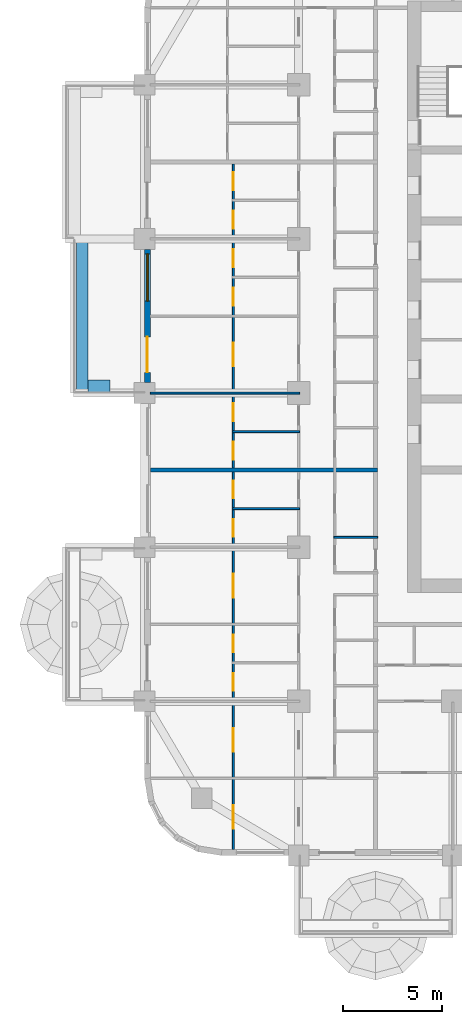
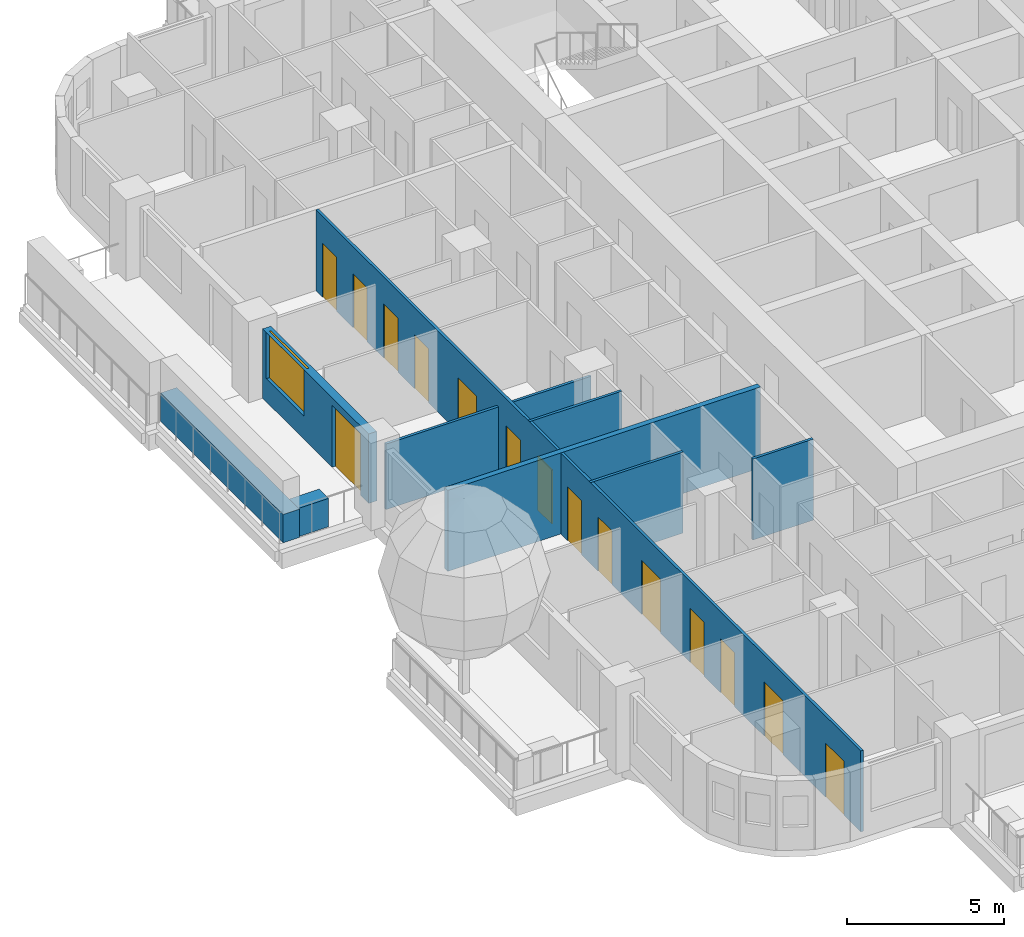
# One storey, part 5 of 19: 15 doors, 9 walls, 1 window, 16 openings.
"""IFC4 building model written with IfcOpenShell, lengths in metres."""

import ifcopenshell
import ifcopenshell.guid

model = None  # the IFC model being written
_history = None  # IfcOwnerHistory: only IFC2X3 demands one
_inside = {}  # id of a spatial element -> (the spatial element, [elements in it])
_under = {}  # id of a project, library or spatial element -> (it, [spatial elements below it])
_declared = {}  # id of a project -> (the project, [libraries it declares])
_typed = {}  # id of a type object -> (the type object, [elements of that type])
_made_of = {}  # id of a material, layer set ... -> (it, [elements and type objects made of it])


def new_model(schema):
    """Start an empty IFC model of exactly this schema.

    Asked for "IFC4X3", IfcOpenShell would pick the latest addendum, in which some entities
    have other attributes; the version numbers below select the first issue.
    IFC2X3 requires an IfcOwnerHistory on every rooted entity: one is made here for all.
    """
    global model, _history
    if schema == "IFC4X3":
        model = ifcopenshell.file(schema_version=(4, 3, 0, 0))
    else:
        model = ifcopenshell.file(schema=schema)
    _inside.clear()
    _under.clear()
    _declared.clear()
    _typed.clear()
    _made_of.clear()
    _history = None
    if model.schema == "IFC2X3":
        org = make("IfcOrganization", Name="unknown")
        user = make(
            "IfcPersonAndOrganization",
            ThePerson=make("IfcPerson", FamilyName="unknown"),
            TheOrganization=org,
        )
        app = make(
            "IfcApplication",
            ApplicationDeveloper=org,
            Version="unknown",
            ApplicationFullName="unknown",
            ApplicationIdentifier="unknown",
        )
        _history = make(
            "IfcOwnerHistory",
            OwningUser=user,
            OwningApplication=app,
            ChangeAction="ADDED",
            CreationDate=0,
        )
    return model


def make(cls, **values):
    """One entity of the class cls with the attributes given. An attribute that is None is left unset."""
    return model.create_entity(
        cls, **{name: value for name, value in values.items() if value is not None}
    )


def rooted(cls, **values):
    """An entity with a GlobalId (a new one), such as an element, a storey or a relation."""
    return make(cls, GlobalId=ifcopenshell.guid.new(), OwnerHistory=_history, **values)


def si_unit(unit_type, name, prefix=None):
    """IfcSIUnit, for example si_unit("LENGTHUNIT", "METRE", prefix="MILLI")."""
    return make("IfcSIUnit", UnitType=unit_type, Prefix=prefix, Name=name)


def assignment(units):
    """IfcUnitAssignment: the units of a project."""
    return None if units is None else make("IfcUnitAssignment", Units=units)


def point(xyz):
    """IfcCartesianPoint."""
    return None if xyz is None else make("IfcCartesianPoint", Coordinates=xyz)


def direction(xyz):
    """IfcDirection."""
    return None if xyz is None else make("IfcDirection", DirectionRatios=xyz)


def frame(location, z_axis=None, x_axis=None):
    """IfcAxis2Placement3D, a coordinate frame: its origin and axes. An axis left out is left unset."""
    return make(
        "IfcAxis2Placement3D",
        Location=point(location),
        Axis=direction(z_axis),
        RefDirection=direction(x_axis),
    )


def frame_2d(location, x_axis=None):
    """IfcAxis2Placement2D, a coordinate frame in the plane: its origin and x axis."""
    return make(
        "IfcAxis2Placement2D", Location=point(location), RefDirection=direction(x_axis)
    )


def origin():
    """The frame at (0, 0, 0) with its axes left unset."""
    return frame((0.0, 0.0, 0.0))


def place(relative_to, where):
    """IfcLocalPlacement: puts the frame where relative to a parent placement (None: the world)."""
    return make(
        "IfcLocalPlacement", PlacementRelTo=relative_to, RelativePlacement=where
    )


def context(
    kind, dimensions, precision=None, world=None, true_north=None, identifier=None
):
    """IfcGeometricRepresentationContext, for example the 3D "Model" context."""
    return make(
        "IfcGeometricRepresentationContext",
        ContextIdentifier=identifier,
        ContextType=kind,
        CoordinateSpaceDimension=dimensions,
        Precision=precision,
        WorldCoordinateSystem=world,
        TrueNorth=true_north,
    )


def subcontext(parent, identifier, kind, view, scale=None):
    """IfcGeometricRepresentationSubContext, for example "Body" below "Model"."""
    return make(
        "IfcGeometricRepresentationSubContext",
        ContextIdentifier=identifier,
        ContextType=kind,
        ParentContext=parent,
        TargetScale=scale,
        TargetView=view,
    )


def project(units=None, contexts=None):
    """IfcProject with its units and contexts."""
    return rooted(
        "IfcProject",
        Name="project",
        RepresentationContexts=contexts,
        UnitsInContext=assignment(units),
    )


def spatial(cls, under=None, at=None, **own):
    """A site, building, storey or space (cls), placed at a placement, below another one or the project."""
    s = rooted(cls, ObjectPlacement=at, **own)
    if under is not None:
        _under.setdefault(under.id(), (under, []))[1].append(s)
    return s


def profile(cls, at=None, kind="AREA", **sizes):
    """A parametric profile (cls). Its sizes go by their IFC names, for example OverallWidth=200.0."""
    return make(cls, ProfileType=kind, Position=at, **sizes)


def rectangle(**sizes):
    """IfcRectangleProfileDef."""
    return profile("IfcRectangleProfileDef", **sizes)


def extrude(swept, where, along, depth):
    """IfcExtrudedAreaSolid: the profile swept, set in the frame where, extruded along a direction by depth."""
    return make(
        "IfcExtrudedAreaSolid",
        SweptArea=swept,
        Position=where,
        ExtrudedDirection=direction(along),
        Depth=depth,
    )


def shape(context_of_items, identifier, shape_type, items):
    """IfcShapeRepresentation: the items that make up one representation, for example the "Body"."""
    return make(
        "IfcShapeRepresentation",
        ContextOfItems=context_of_items,
        RepresentationIdentifier=identifier,
        RepresentationType=shape_type,
        Items=items,
    )


def material(Name=None, Category=None):
    """IfcMaterial."""
    return make("IfcMaterial", Name=Name, Category=Category)


def layer(
    of_material, thickness, ventilated=None, Name=None, Category=None, Priority=None
):
    """IfcMaterialLayer: one layer of a wall or slab, of a material (None: an air gap)."""
    return make(
        "IfcMaterialLayer",
        Material=of_material,
        LayerThickness=thickness,
        IsVentilated=ventilated,
        Name=Name,
        Category=Category,
        Priority=Priority,
    )


def layer_set(layers, Name=None):
    """IfcMaterialLayerSet."""
    return make("IfcMaterialLayerSet", MaterialLayers=layers, LayerSetName=Name)


def made_of(thing, what):
    """Note that an element or type object is made of a material, layer set ...; save() writes the relation."""
    if what is not None:
        _made_of.setdefault(what.id(), (what, []))[1].append(thing)
    return thing


def type_object(cls, material=None, **own):
    """A type object (cls), such as IfcWallType, which elements share."""
    return made_of(rooted(cls, **own), material)


def element(
    cls,
    number,
    at=None,
    inside=None,
    cuts=None,
    type_object=None,
    material=None,
    context=None,
    identifier="Body",
    shape_type=None,
    held_by="IfcProductDefinitionShape",
    body=None,
    shapes=None,
    **own,
):
    """One element of the class cls, such as IfcWall. Its Tag is "e" and its number.

    at: its placement. inside: the storey or other place that contains it. cuts: it is an
    opening in that element (IfcRelVoidsElement). A single representation is given by context,
    identifier, shape_type and body (its items); several are given by shapes. held_by: the class
    of the entity that holds the representations. save() writes the other relations.
    """
    e = rooted(cls, Tag="e%d" % number, ObjectPlacement=at, **own)
    if body is not None:
        shapes = [shape(context, identifier, shape_type, body)]
    if shapes is not None:
        e.Representation = make(held_by, Representations=shapes)
    if inside is not None:
        _inside.setdefault(inside.id(), (inside, []))[1].append(e)
    if cuts is not None:
        rooted(
            "IfcRelVoidsElement", RelatingBuildingElement=cuts, RelatedOpeningElement=e
        )
    if type_object is not None:
        _typed.setdefault(type_object.id(), (type_object, []))[1].append(e)
    return made_of(e, material)


def fill(opening, filler):
    """IfcRelFillsElement: the door or window that sits in an opening."""
    return rooted(
        "IfcRelFillsElement",
        RelatingOpeningElement=opening,
        RelatedBuildingElement=filler,
    )


def aggregate(whole, parts):
    """IfcRelAggregates: a whole, such as a stair, and the parts it consists of."""
    return rooted("IfcRelAggregates", RelatingObject=whole, RelatedObjects=parts)


def save(model, path):
    """Write the relations noted so far, then the file.

    IfcRelAggregates (storeys below a building ...), IfcRelContainedInSpatialStructure (elements
    in a storey), IfcRelDefinesByType, IfcRelAssociatesMaterial and IfcRelDeclares: one each for
    every whole, place, type object, material and project.
    """
    for whole, parts in _under.values():
        aggregate(whole, parts)
    for where, things in _inside.values():
        rooted(
            "IfcRelContainedInSpatialStructure",
            RelatedElements=things,
            RelatingStructure=where,
        )
    for kind, things in _typed.values():
        rooted("IfcRelDefinesByType", RelatedObjects=things, RelatingType=kind)
    for what, things in _made_of.values():
        rooted("IfcRelAssociatesMaterial", RelatedObjects=things, RelatingMaterial=what)
    for by, libraries in _declared.values():
        rooted("IfcRelDeclares", RelatingContext=by, RelatedDefinitions=libraries)
    model.write(path)


model = new_model("IFC4")

# Units and contexts
model_context = context("Model", 3, precision=1e-05, world=origin(), true_north=direction((0.0, 1.0)))
body_context = subcontext(model_context, "Body", "Model", "MODEL_VIEW")
ifc_project = project(units=[si_unit("LENGTHUNIT", "METRE"), si_unit("AREAUNIT", "SQUARE_METRE"), si_unit("VOLUMEUNIT", "CUBIC_METRE"), si_unit("PLANEANGLEUNIT", "RADIAN"), si_unit("MASSUNIT", "GRAM", prefix="KILO")], contexts=[model_context])

# Site, building, storey
site_placement = place(None, origin())
site = spatial("IfcSite", under=ifc_project, at=site_placement, CompositionType="ELEMENT")
building_placement = place(site_placement, origin())
building = spatial("IfcBuilding", under=site, at=building_placement, Name="Ludao Terraces", CompositionType="ELEMENT")
storey_placement = place(building_placement, frame((0.0, 0.0, 36.5)))
storey = spatial("IfcBuildingStorey", under=building, at=storey_placement, Name="L09", CompositionType="ELEMENT", Elevation=36.5)

# Walls
ifc_material_1 = material(Name="Concrete C40", Category="concrete")
ifc_layer_1 = layer(ifc_material_1, 0.60009765625)
ifc_layer_set_1 = layer_set([ifc_layer_1], Name="ENV Planter trough 600")
wall_type_1 = type_object("IfcWallType", Name="ENV Planter trough 600", PredefinedType="USERDEFINED", material=ifc_layer_set_1)
wall_1_placement = place(storey_placement, frame((58.449951171875, 65.0, 0.0), z_axis=(0.0, 0.0, 1.0), x_axis=(0.0, 1.0, 0.0)))
element("IfcWall", 1, at=wall_1_placement, inside=storey, type_object=wall_type_1, Name="PL-L09-W3", ObjectType="PLANTER", PredefinedType="USERDEFINED", context=body_context, shape_type="SweptSolid", body=[
    extrude(rectangle(XDim=7.800048828125, YDim=0.60009765625, at=frame_2d((3.89990234375, 0.0))), origin(), (0.0, 0.0, 1.0), 1.10009765625),
])
wall_2_placement = place(storey_placement, frame((58.75, 65.35009765625, 0.0), z_axis=(0.0, 0.0, 1.0), x_axis=(1.0, 0.0, 0.0)))
element("IfcWall", 2, at=wall_2_placement, inside=storey, type_object=wall_type_1, Name="PL-L09-W3-SA", ObjectType="PLANTER", PredefinedType="USERDEFINED", context=body_context, shape_type="SweptSolid", body=[
    extrude(rectangle(XDim=1.10009765625, YDim=0.60009765625, at=frame_2d((0.550048828125, 0.0))), origin(), (0.0, 0.0, 1.0), 1.10009765625),
])

# Wall, openings, door, window
ifc_material_2 = material(Name="Granite cladding", Category="masonry")
ifc_layer_2 = layer(ifc_material_2, 0.0400390625, Category="stone")
ifc_material_3 = material(Name="Mineral wool")
ifc_layer_3 = layer(ifc_material_3, 0.06005859375)
ifc_layer_4 = layer(ifc_material_1, 0.199951171875, Category="concrete")
ifc_layer_set_2 = layer_set([ifc_layer_2, ifc_layer_3, ifc_layer_4], Name="ENV Stone-clad wall 300")
wall_type_2 = type_object("IfcWallType", Name="ENV Stone-clad wall 300", PredefinedType="SOLIDWALL", material=ifc_layer_set_2)
wall_3_placement = place(storey_placement, frame((61.75, 65.52490234375, 0.0), z_axis=(0.0, 0.0, 1.0), x_axis=(0.0, 1.0, 0.0)))
wall_3 = element("IfcWall", 3, at=wall_3_placement, inside=storey, type_object=wall_type_2, Name="EW-L09-W4", PredefinedType="SOLIDWALL", context=body_context, shape_type="SweptSolid", body=[
    extrude(rectangle(XDim=6.75, YDim=0.300048828125, at=frame_2d((3.375, 0.0))), origin(), (0.0, 0.0, 1.0), 2.699951171875),
])
opening_1_placement = place(wall_3_placement, frame((0.52490234375, 0.0, 0.0)))
opening_1 = element("IfcOpeningElement", 4, at=opening_1_placement, cuts=wall_3, Name="Opening BD", PredefinedType="OPENING", context=body_context, shape_type="SweptSolid", body=[
    extrude(rectangle(XDim=1.800048828125, YDim=2.39990234375, at=frame_2d((0.89990234375, 1.199951171875))), frame((0.0, 0.16015625, 0.0), z_axis=(0.0, -1.0, 0.0), x_axis=(1.0, 0.0, 0.0)), (0.0, 0.0, 1.0), 0.320068359375),
])
opening_2_placement = place(wall_3_placement, frame((4.125, 0.0, 0.89990234375)))
opening_2 = element("IfcOpeningElement", 5, at=opening_2_placement, cuts=wall_3, Name="Opening W1", PredefinedType="OPENING", context=body_context, shape_type="SweptSolid", body=[
    extrude(rectangle(XDim=2.39990234375, YDim=1.800048828125, at=frame_2d((1.199951171875, 0.89990234375))), frame((0.0, 0.16015625, 0.0), z_axis=(0.0, -1.0, 0.0), x_axis=(1.0, 0.0, 0.0)), (0.0, 0.0, 1.0), 0.320068359375),
])
ifc_material_4 = material(Name="Aluminium glazed door", Category="aluminium")
ifc_layer_5 = layer(ifc_material_4, 0.06005859375)
ifc_layer_set_3 = layer_set([ifc_layer_5], Name="ENV Balcony door BD 1800x2400")
door_type_1 = type_object("IfcDoorType", Name="ENV Balcony door BD 1800x2400", OperationType="DOUBLE_DOOR_SINGLE_SWING", PredefinedType="DOOR", material=ifc_layer_set_3)
door_1_placement = place(opening_1_placement, origin())
door_1 = element("IfcDoor", 6, at=door_1_placement, inside=storey, type_object=door_type_1, Name="BD-L09-W4-1", OperationType="DOUBLE_DOOR_SINGLE_SWING", OverallHeight=2.39990234375, OverallWidth=1.800048828125, PredefinedType="DOOR", context=body_context, shape_type="SweptSolid", body=[
    extrude(rectangle(XDim=1.800048828125, YDim=2.39990234375, at=frame_2d((0.89990234375, 1.199951171875))), frame((0.0, 0.02490234375, 0.0), z_axis=(0.0, -1.0, 0.0), x_axis=(1.0, 0.0, 0.0)), (0.0, 0.0, 1.0), 0.050048828125),
])
fill(opening_1, door_1)
ifc_material_5 = material(Name="Clear glass in aluminium frame", Category="aluminium")
ifc_layer_6 = layer(ifc_material_5, 0.06005859375)
ifc_layer_set_4 = layer_set([ifc_layer_6], Name="ENV Window W1 2400x1800")
window_type = type_object("IfcWindowType", Name="ENV Window W1 2400x1800", PartitioningType="DOUBLE_PANEL_VERTICAL", PredefinedType="WINDOW", material=ifc_layer_set_4)
window_placement = place(opening_2_placement, origin())
window = element("IfcWindow", 7, at=window_placement, inside=storey, type_object=window_type, Name="W-L09-W4-2", OverallHeight=1.800048828125, OverallWidth=2.39990234375, PartitioningType="DOUBLE_PANEL_VERTICAL", PredefinedType="WINDOW", context=body_context, shape_type="SweptSolid", body=[
    extrude(rectangle(XDim=2.39990234375, YDim=1.800048828125, at=frame_2d((1.199951171875, 0.89990234375))), frame((0.0, 0.030029296875, 0.0), z_axis=(0.0, -1.0, 0.0), x_axis=(1.0, 0.0, 0.0)), (0.0, 0.0, 1.0), 0.06005859375),
])
fill(opening_2, window)

# Walls
ifc_material_6 = material(Name="Gypsum plasterboard", Category="gypsum")
ifc_layer_7 = layer(ifc_material_6, 0.012451171875, Category="gypsum")
ifc_layer_8 = layer(ifc_material_3, 0.06005859375, Name="insulation")
ifc_material_7 = material(Name="Steel Q235", Category="steel")
ifc_layer_9 = layer(ifc_material_7, 0.014892578125, Name="stud")
ifc_layer_10 = layer(ifc_material_6, 0.012451171875, Category="gypsum")
ifc_layer_set_5 = layer_set([ifc_layer_7, ifc_layer_8, ifc_layer_9, ifc_layer_10], Name="INT Partition 100")
wall_type_3 = type_object("IfcWallType", Name="INT Partition 100", PredefinedType="PARTITIONING", material=ifc_layer_set_5)
wall_4_placement = place(storey_placement, frame((71.18017578125, 57.699951171875, 0.0), z_axis=(0.0, 0.0, 1.0), x_axis=(1.0, 0.0, 0.0)))
element("IfcWall", 8, at=wall_4_placement, inside=storey, type_object=wall_type_3, Name="PW-L09-PW027", PredefinedType="PARTITIONING", context=body_context, shape_type="SweptSolid", body=[
    extrude(rectangle(XDim=2.219970703125, YDim=0.10009765625, at=frame_2d((1.10986328125, 0.0))), origin(), (0.0, 0.0, 1.0), 3.14990234375),
])
for number, where, z_axis, x_axis, name in (
    (9, (66.050048828125, 59.14990234375, 0.0), (0.0, 0.0, 1.0), (1.0, 0.0, 0.0), "PW-L09-PW029"),
    (10, (66.050048828125, 63.050048828125, 0.0), (0.0, 0.0, 1.0), (1.0, 0.0, 0.0), "PW-L09-PW034"),
):
    element("IfcWall", number, at=place(storey_placement, frame(where, z_axis=z_axis, x_axis=x_axis)), inside=storey, type_object=wall_type_3, Name=name, PredefinedType="PARTITIONING", context=body_context, shape_type="SweptSolid", body=[
        extrude(rectangle(XDim=3.400146484375, YDim=0.10009765625, at=frame_2d((1.7001953125, 0.0))), origin(), (0.0, 0.0, 1.0), 3.14990234375),
    ])
wall_5_placement = place(storey_placement, frame((61.900146484375, 65.0, 0.0), z_axis=(0.0, 0.0, 1.0), x_axis=(1.0, 0.0, 0.0)))
element("IfcWall", 11, at=wall_5_placement, inside=storey, type_object=wall_type_3, Name="PW-L09-PW038", PredefinedType="PARTITIONING", context=body_context, shape_type="SweptSolid", body=[
    extrude(rectangle(XDim=7.550048828125, YDim=0.10009765625, at=frame_2d((3.77490234375, 0.0))), origin(), (0.0, 0.0, 1.0), 2.550048828125),
])

# Wall, openings, doors
wall_6_placement = place(storey_placement, frame((66.10009765625, 41.900146484375, 0.0), z_axis=(0.0, 0.0, 1.0), x_axis=(0.0, 1.0, 0.0)))
wall_6 = element("IfcWall", 12, at=wall_6_placement, inside=storey, type_object=wall_type_3, Name="PW-L09-PW082", PredefinedType="PARTITIONING", context=body_context, shape_type="SweptSolid", body=[
    extrude(rectangle(XDim=34.699951171875, YDim=0.10009765625, at=frame_2d((17.35009765625, 0.0))), origin(), (0.0, 0.0, 1.0), 3.14990234375),
])
opening_3_placement = place(wall_6_placement, frame((1.050048828125, 0.0, 0.0)))
opening_3 = element("IfcOpeningElement", 13, at=opening_3_placement, cuts=wall_6, Name="Opening R02-001", PredefinedType="OPENING", context=body_context, shape_type="SweptSolid", body=[
    extrude(rectangle(XDim=1.199951171875, YDim=2.10009765625, at=frame_2d((0.60009765625, 1.050048828125))), frame((0.0, 0.06005859375, 0.0), z_axis=(0.0, -1.0, 0.0), x_axis=(1.0, 0.0, 0.0)), (0.0, 0.0, 1.0), 0.1201171875),
])
opening_4_placement = place(wall_6_placement, frame((4.949951171875, 0.0, 0.0)))
opening_4 = element("IfcOpeningElement", 14, at=opening_4_placement, cuts=wall_6, Name="Opening R02-018", PredefinedType="OPENING", context=body_context, shape_type="SweptSolid", body=[
    extrude(rectangle(XDim=1.199951171875, YDim=2.10009765625, at=frame_2d((0.60009765625, 1.050048828125))), frame((0.0, 0.06005859375, 0.0), z_axis=(0.0, -1.0, 0.0), x_axis=(1.0, 0.0, 0.0)), (0.0, 0.0, 1.0), 0.1201171875),
])
opening_5_placement = place(wall_6_placement, frame((8.02490234375, 0.0, 0.0)))
opening_5 = element("IfcOpeningElement", 15, at=opening_5_placement, cuts=wall_6, Name="Opening R02-030", PredefinedType="OPENING", context=body_context, shape_type="SweptSolid", body=[
    extrude(rectangle(XDim=0.89990234375, YDim=2.10009765625, at=frame_2d((0.449951171875, 1.050048828125))), frame((0.0, 0.06005859375, 0.0), z_axis=(0.0, -1.0, 0.0), x_axis=(1.0, 0.0, 0.0)), (0.0, 0.0, 1.0), 0.1201171875),
])
opening_6_placement = place(wall_6_placement, frame((9.97509765625, 0.0, 0.0)))
opening_6 = element("IfcOpeningElement", 16, at=opening_6_placement, cuts=wall_6, Name="Opening R02-043", PredefinedType="OPENING", context=body_context, shape_type="SweptSolid", body=[
    extrude(rectangle(XDim=0.89990234375, YDim=2.10009765625, at=frame_2d((0.449951171875, 1.050048828125))), frame((0.0, 0.06005859375, 0.0), z_axis=(0.0, -1.0, 0.0), x_axis=(1.0, 0.0, 0.0)), (0.0, 0.0, 1.0), 0.1201171875),
])
opening_7_placement = place(wall_6_placement, frame((12.75, 0.0, 0.0)))
opening_7 = element("IfcOpeningElement", 17, at=opening_7_placement, cuts=wall_6, Name="Opening R02-051", PredefinedType="OPENING", context=body_context, shape_type="SweptSolid", body=[
    extrude(rectangle(XDim=1.199951171875, YDim=2.10009765625, at=frame_2d((0.60009765625, 1.050048828125))), frame((0.0, 0.06005859375, 0.0), z_axis=(0.0, -1.0, 0.0), x_axis=(1.0, 0.0, 0.0)), (0.0, 0.0, 1.0), 0.1201171875),
])
opening_8_placement = place(wall_6_placement, frame((15.824951171875, 0.0, 0.0)))
opening_8 = element("IfcOpeningElement", 18, at=opening_8_placement, cuts=wall_6, Name="Opening R02-063", PredefinedType="OPENING", context=body_context, shape_type="SweptSolid", body=[
    extrude(rectangle(XDim=0.89990234375, YDim=2.10009765625, at=frame_2d((0.449951171875, 1.050048828125))), frame((0.0, 0.06005859375, 0.0), z_axis=(0.0, -1.0, 0.0), x_axis=(1.0, 0.0, 0.0)), (0.0, 0.0, 1.0), 0.1201171875),
])
opening_9_placement = place(wall_6_placement, frame((17.77490234375, 0.0, 0.0)))
opening_9 = element("IfcOpeningElement", 19, at=opening_9_placement, cuts=wall_6, Name="Opening R02-067", PredefinedType="OPENING", context=body_context, shape_type="SweptSolid", body=[
    extrude(rectangle(XDim=0.89990234375, YDim=2.10009765625, at=frame_2d((0.449951171875, 1.050048828125))), frame((0.0, 0.06005859375, 0.0), z_axis=(0.0, -1.0, 0.0), x_axis=(1.0, 0.0, 0.0)), (0.0, 0.0, 1.0), 0.1201171875),
])
opening_10_placement = place(wall_6_placement, frame((19.72509765625, 0.0, 0.0)))
opening_10 = element("IfcOpeningElement", 20, at=opening_10_placement, cuts=wall_6, Name="Opening R02-072", PredefinedType="OPENING", context=body_context, shape_type="SweptSolid", body=[
    extrude(rectangle(XDim=0.89990234375, YDim=2.10009765625, at=frame_2d((0.449951171875, 1.050048828125))), frame((0.0, 0.06005859375, 0.0), z_axis=(0.0, -1.0, 0.0), x_axis=(1.0, 0.0, 0.0)), (0.0, 0.0, 1.0), 0.1201171875),
])
opening_11_placement = place(wall_6_placement, frame((21.675048828125, 0.0, 0.0)))
opening_11 = element("IfcOpeningElement", 21, at=opening_11_placement, cuts=wall_6, Name="Opening R02-081", PredefinedType="OPENING", context=body_context, shape_type="SweptSolid", body=[
    extrude(rectangle(XDim=0.89990234375, YDim=2.10009765625, at=frame_2d((0.449951171875, 1.050048828125))), frame((0.0, 0.06005859375, 0.0), z_axis=(0.0, -1.0, 0.0), x_axis=(1.0, 0.0, 0.0)), (0.0, 0.0, 1.0), 0.1201171875),
])
opening_12_placement = place(wall_6_placement, frame((24.449951171875, 0.0, 0.0)))
opening_12 = element("IfcOpeningElement", 22, at=opening_12_placement, cuts=wall_6, Name="Opening R02-089", PredefinedType="OPENING", context=body_context, shape_type="SweptSolid", body=[
    extrude(rectangle(XDim=1.199951171875, YDim=2.10009765625, at=frame_2d((0.60009765625, 1.050048828125))), frame((0.0, 0.06005859375, 0.0), z_axis=(0.0, -1.0, 0.0), x_axis=(1.0, 0.0, 0.0)), (0.0, 0.0, 1.0), 0.1201171875),
])
opening_13_placement = place(wall_6_placement, frame((27.52490234375, 0.0, 0.0)))
opening_13 = element("IfcOpeningElement", 23, at=opening_13_placement, cuts=wall_6, Name="Opening R02-100", PredefinedType="OPENING", context=body_context, shape_type="SweptSolid", body=[
    extrude(rectangle(XDim=0.89990234375, YDim=2.10009765625, at=frame_2d((0.449951171875, 1.050048828125))), frame((0.0, 0.06005859375, 0.0), z_axis=(0.0, -1.0, 0.0), x_axis=(1.0, 0.0, 0.0)), (0.0, 0.0, 1.0), 0.1201171875),
])
opening_14_placement = place(wall_6_placement, frame((29.47509765625, 0.0, 0.0)))
opening_14 = element("IfcOpeningElement", 24, at=opening_14_placement, cuts=wall_6, Name="Opening R02-106", PredefinedType="OPENING", context=body_context, shape_type="SweptSolid", body=[
    extrude(rectangle(XDim=0.89990234375, YDim=2.10009765625, at=frame_2d((0.449951171875, 1.050048828125))), frame((0.0, 0.06005859375, 0.0), z_axis=(0.0, -1.0, 0.0), x_axis=(1.0, 0.0, 0.0)), (0.0, 0.0, 1.0), 0.1201171875),
])
opening_15_placement = place(wall_6_placement, frame((31.425048828125, 0.0, 0.0)))
opening_15 = element("IfcOpeningElement", 25, at=opening_15_placement, cuts=wall_6, Name="Opening R02-113", PredefinedType="OPENING", context=body_context, shape_type="SweptSolid", body=[
    extrude(rectangle(XDim=0.89990234375, YDim=2.10009765625, at=frame_2d((0.449951171875, 1.050048828125))), frame((0.0, 0.06005859375, 0.0), z_axis=(0.0, -1.0, 0.0), x_axis=(1.0, 0.0, 0.0)), (0.0, 0.0, 1.0), 0.1201171875),
])
opening_16_placement = place(wall_6_placement, frame((33.375, 0.0, 0.0)))
opening_16 = element("IfcOpeningElement", 26, at=opening_16_placement, cuts=wall_6, Name="Opening R02-122", PredefinedType="OPENING", context=body_context, shape_type="SweptSolid", body=[
    extrude(rectangle(XDim=0.89990234375, YDim=2.10009765625, at=frame_2d((0.449951171875, 1.050048828125))), frame((0.0, 0.06005859375, 0.0), z_axis=(0.0, -1.0, 0.0), x_axis=(1.0, 0.0, 0.0)), (0.0, 0.0, 1.0), 0.1201171875),
])
ifc_material_8 = material(Name="Timber door leaf", Category="wood")
door_type_2 = type_object("IfcDoorType", Name="INT Bathroom door 900", OperationType="SINGLE_SWING_LEFT", PredefinedType="DOOR", material=ifc_material_8)
door_2_placement = place(opening_5_placement, origin())
door_2 = element("IfcDoor", 27, at=door_2_placement, inside=storey, type_object=door_type_2, Name="DOOR 030", OperationType="SINGLE_SWING_RIGHT", OverallHeight=2.10009765625, OverallWidth=0.89990234375, PredefinedType="DOOR", context=body_context, shape_type="SweptSolid", body=[
    extrude(rectangle(XDim=0.89990234375, YDim=2.10009765625, at=frame_2d((0.449951171875, 1.050048828125))), frame((0.0, 0.02490234375, 0.0), z_axis=(0.0, -1.0, 0.0), x_axis=(1.0, 0.0, 0.0)), (0.0, 0.0, 1.0), 0.050048828125),
])
fill(opening_5, door_2)
door_3_placement = place(opening_8_placement, origin())
door_3 = element("IfcDoor", 28, at=door_3_placement, inside=storey, type_object=door_type_2, Name="DOOR 063", OperationType="SINGLE_SWING_LEFT", OverallHeight=2.10009765625, OverallWidth=0.89990234375, PredefinedType="DOOR", context=body_context, shape_type="SweptSolid", body=[
    extrude(rectangle(XDim=0.89990234375, YDim=2.10009765625, at=frame_2d((0.449951171875, 1.050048828125))), frame((0.0, 0.02490234375, 0.0), z_axis=(0.0, -1.0, 0.0), x_axis=(1.0, 0.0, 0.0)), (0.0, 0.0, 1.0), 0.050048828125),
])
fill(opening_8, door_3)
door_4_placement = place(opening_10_placement, origin())
door_4 = element("IfcDoor", 29, at=door_4_placement, inside=storey, type_object=door_type_2, Name="DOOR 072", OperationType="SINGLE_SWING_RIGHT", OverallHeight=2.10009765625, OverallWidth=0.89990234375, PredefinedType="DOOR", context=body_context, shape_type="SweptSolid", body=[
    extrude(rectangle(XDim=0.89990234375, YDim=2.10009765625, at=frame_2d((0.449951171875, 1.050048828125))), frame((0.0, 0.02490234375, 0.0), z_axis=(0.0, -1.0, 0.0), x_axis=(1.0, 0.0, 0.0)), (0.0, 0.0, 1.0), 0.050048828125),
])
fill(opening_10, door_4)
door_5_placement = place(opening_13_placement, origin())
door_5 = element("IfcDoor", 30, at=door_5_placement, inside=storey, type_object=door_type_2, Name="DOOR 100", OperationType="SINGLE_SWING_RIGHT", OverallHeight=2.10009765625, OverallWidth=0.89990234375, PredefinedType="DOOR", context=body_context, shape_type="SweptSolid", body=[
    extrude(rectangle(XDim=0.89990234375, YDim=2.10009765625, at=frame_2d((0.449951171875, 1.050048828125))), frame((0.0, 0.02490234375, 0.0), z_axis=(0.0, -1.0, 0.0), x_axis=(1.0, 0.0, 0.0)), (0.0, 0.0, 1.0), 0.050048828125),
])
fill(opening_13, door_5)
door_6_placement = place(opening_15_placement, origin())
door_6 = element("IfcDoor", 31, at=door_6_placement, inside=storey, type_object=door_type_2, Name="DOOR 113", OperationType="SINGLE_SWING_RIGHT", OverallHeight=2.10009765625, OverallWidth=0.89990234375, PredefinedType="DOOR", context=body_context, shape_type="SweptSolid", body=[
    extrude(rectangle(XDim=0.89990234375, YDim=2.10009765625, at=frame_2d((0.449951171875, 1.050048828125))), frame((0.0, 0.02490234375, 0.0), z_axis=(0.0, -1.0, 0.0), x_axis=(1.0, 0.0, 0.0)), (0.0, 0.0, 1.0), 0.050048828125),
])
fill(opening_15, door_6)
door_type_3 = type_object("IfcDoorType", Name="INT Double door 1200", OperationType="DOUBLE_DOOR_SINGLE_SWING", PredefinedType="DOOR", material=ifc_material_8)
door_7_placement = place(opening_3_placement, origin())
door_7 = element("IfcDoor", 32, at=door_7_placement, inside=storey, type_object=door_type_3, Name="DOOR 001", OperationType="DOUBLE_DOOR_SINGLE_SWING", OverallHeight=2.10009765625, OverallWidth=1.199951171875, PredefinedType="DOOR", context=body_context, shape_type="SweptSolid", body=[
    extrude(rectangle(XDim=1.199951171875, YDim=2.10009765625, at=frame_2d((0.60009765625, 1.050048828125))), frame((0.0, 0.02490234375, 0.0), z_axis=(0.0, -1.0, 0.0), x_axis=(1.0, 0.0, 0.0)), (0.0, 0.0, 1.0), 0.050048828125),
])
fill(opening_3, door_7)
door_8_placement = place(opening_4_placement, origin())
door_8 = element("IfcDoor", 33, at=door_8_placement, inside=storey, type_object=door_type_3, Name="DOOR 018", OperationType="DOUBLE_DOOR_SINGLE_SWING", OverallHeight=2.10009765625, OverallWidth=1.199951171875, PredefinedType="DOOR", context=body_context, shape_type="SweptSolid", body=[
    extrude(rectangle(XDim=1.199951171875, YDim=2.10009765625, at=frame_2d((0.60009765625, 1.050048828125))), frame((0.0, 0.02490234375, 0.0), z_axis=(0.0, -1.0, 0.0), x_axis=(1.0, 0.0, 0.0)), (0.0, 0.0, 1.0), 0.050048828125),
])
fill(opening_4, door_8)
door_9_placement = place(opening_7_placement, origin())
door_9 = element("IfcDoor", 34, at=door_9_placement, inside=storey, type_object=door_type_3, Name="DOOR 051", OperationType="DOUBLE_DOOR_SINGLE_SWING", OverallHeight=2.10009765625, OverallWidth=1.199951171875, PredefinedType="DOOR", context=body_context, shape_type="SweptSolid", body=[
    extrude(rectangle(XDim=1.199951171875, YDim=2.10009765625, at=frame_2d((0.60009765625, 1.050048828125))), frame((0.0, 0.02490234375, 0.0), z_axis=(0.0, -1.0, 0.0), x_axis=(1.0, 0.0, 0.0)), (0.0, 0.0, 1.0), 0.050048828125),
])
fill(opening_7, door_9)
door_10_placement = place(opening_12_placement, origin())
door_10 = element("IfcDoor", 35, at=door_10_placement, inside=storey, type_object=door_type_3, Name="DOOR 089", OperationType="DOUBLE_DOOR_SINGLE_SWING", OverallHeight=2.10009765625, OverallWidth=1.199951171875, PredefinedType="DOOR", context=body_context, shape_type="SweptSolid", body=[
    extrude(rectangle(XDim=1.199951171875, YDim=2.10009765625, at=frame_2d((0.60009765625, 1.050048828125))), frame((0.0, 0.02490234375, 0.0), z_axis=(0.0, -1.0, 0.0), x_axis=(1.0, 0.0, 0.0)), (0.0, 0.0, 1.0), 0.050048828125),
])
fill(opening_12, door_10)
door_type_4 = type_object("IfcDoorType", Name="INT Room door 900", OperationType="SINGLE_SWING_LEFT", PredefinedType="DOOR", material=ifc_material_8)
door_11_placement = place(opening_6_placement, origin())
door_11 = element("IfcDoor", 36, at=door_11_placement, inside=storey, type_object=door_type_4, Name="DOOR 043", OperationType="SINGLE_SWING_RIGHT", OverallHeight=2.10009765625, OverallWidth=0.89990234375, PredefinedType="DOOR", context=body_context, shape_type="SweptSolid", body=[
    extrude(rectangle(XDim=0.89990234375, YDim=2.10009765625, at=frame_2d((0.449951171875, 1.050048828125))), frame((0.0, 0.02490234375, 0.0), z_axis=(0.0, -1.0, 0.0), x_axis=(1.0, 0.0, 0.0)), (0.0, 0.0, 1.0), 0.050048828125),
])
fill(opening_6, door_11)
door_12_placement = place(opening_9_placement, origin())
door_12 = element("IfcDoor", 37, at=door_12_placement, inside=storey, type_object=door_type_4, Name="DOOR 067", OperationType="SINGLE_SWING_LEFT", OverallHeight=2.10009765625, OverallWidth=0.89990234375, PredefinedType="DOOR", context=body_context, shape_type="SweptSolid", body=[
    extrude(rectangle(XDim=0.89990234375, YDim=2.10009765625, at=frame_2d((0.449951171875, 1.050048828125))), frame((0.0, 0.02490234375, 0.0), z_axis=(0.0, -1.0, 0.0), x_axis=(1.0, 0.0, 0.0)), (0.0, 0.0, 1.0), 0.050048828125),
])
fill(opening_9, door_12)
door_13_placement = place(opening_11_placement, origin())
door_13 = element("IfcDoor", 38, at=door_13_placement, inside=storey, type_object=door_type_4, Name="DOOR 081", OperationType="SINGLE_SWING_RIGHT", OverallHeight=2.10009765625, OverallWidth=0.89990234375, PredefinedType="DOOR", context=body_context, shape_type="SweptSolid", body=[
    extrude(rectangle(XDim=0.89990234375, YDim=2.10009765625, at=frame_2d((0.449951171875, 1.050048828125))), frame((0.0, 0.02490234375, 0.0), z_axis=(0.0, -1.0, 0.0), x_axis=(1.0, 0.0, 0.0)), (0.0, 0.0, 1.0), 0.050048828125),
])
fill(opening_11, door_13)
door_14_placement = place(opening_14_placement, origin())
door_14 = element("IfcDoor", 39, at=door_14_placement, inside=storey, type_object=door_type_4, Name="DOOR 106", OperationType="SINGLE_SWING_LEFT", OverallHeight=2.10009765625, OverallWidth=0.89990234375, PredefinedType="DOOR", context=body_context, shape_type="SweptSolid", body=[
    extrude(rectangle(XDim=0.89990234375, YDim=2.10009765625, at=frame_2d((0.449951171875, 1.050048828125))), frame((0.0, 0.02490234375, 0.0), z_axis=(0.0, -1.0, 0.0), x_axis=(1.0, 0.0, 0.0)), (0.0, 0.0, 1.0), 0.050048828125),
])
fill(opening_14, door_14)
door_15_placement = place(opening_16_placement, origin())
door_15 = element("IfcDoor", 40, at=door_15_placement, inside=storey, type_object=door_type_4, Name="DOOR 122", OperationType="SINGLE_SWING_LEFT", OverallHeight=2.10009765625, OverallWidth=0.89990234375, PredefinedType="DOOR", context=body_context, shape_type="SweptSolid", body=[
    extrude(rectangle(XDim=0.89990234375, YDim=2.10009765625, at=frame_2d((0.449951171875, 1.050048828125))), frame((0.0, 0.02490234375, 0.0), z_axis=(0.0, -1.0, 0.0), x_axis=(1.0, 0.0, 0.0)), (0.0, 0.0, 1.0), 0.050048828125),
])
fill(opening_16, door_15)

# Wall
ifc_material_9 = material(Name="Autoclaved aerated concrete block B06 A3.5", Category="concrete")
ifc_layer_11 = layer(ifc_material_9, 0.199951171875)
ifc_layer_set_6 = layer_set([ifc_layer_11], Name="INT Party wall 200")
wall_type_4 = type_object("IfcWallType", Name="INT Party wall 200", PredefinedType="PARTITIONING", material=ifc_layer_set_6)
wall_7_placement = place(storey_placement, frame((61.900146484375, 61.10009765625, 0.0), z_axis=(0.0, 0.0, 1.0), x_axis=(1.0, 0.0, 0.0)))
element("IfcWall", 41, at=wall_7_placement, inside=storey, type_object=wall_type_4, Name="PW-L09-PW031", PredefinedType="PARTITIONING", context=body_context, shape_type="SweptSolid", body=[
    extrude(rectangle(XDim=11.5, YDim=0.199951171875, at=frame_2d((5.75, 0.0))), origin(), (0.0, 0.0, 1.0), 3.14990234375),
])

save(model, "model.ifc")
